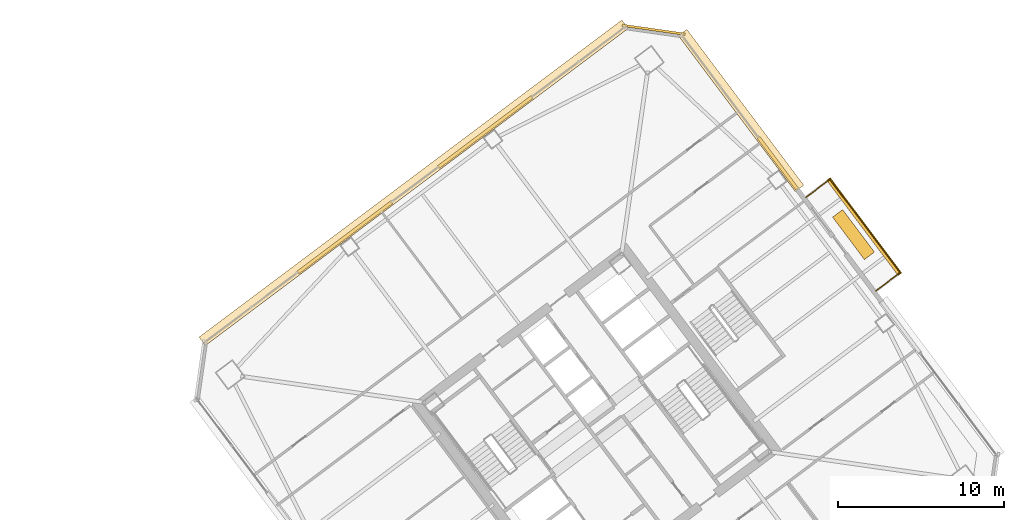
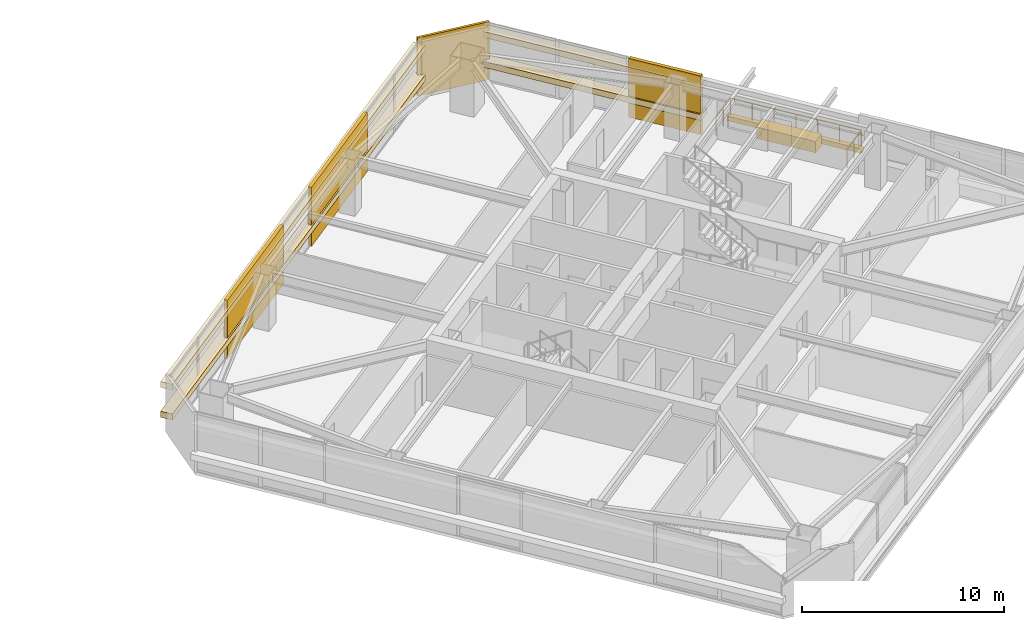
# One storey, part 44 of 44: 10 coverings, 3 railings.
"""IFC4 building model written with IfcOpenShell, lengths in metres."""

from ifc_helpers import new_model, si_unit, direction, frame, origin, origin_2d, place, context, subcontext, project, spatial, rectangle, extrude, material, layer, layer_set, type_object, element, save


model = new_model("IFC4")

# Units and contexts
model_context = context("Model", 3, precision=1e-05, world=origin(), true_north=direction((0.0, 1.0)))
body_context = subcontext(model_context, "Body", "Model", "MODEL_VIEW")
ifc_project = project(units=[si_unit("LENGTHUNIT", "METRE"), si_unit("AREAUNIT", "SQUARE_METRE"), si_unit("VOLUMEUNIT", "CUBIC_METRE"), si_unit("PLANEANGLEUNIT", "RADIAN"), si_unit("MASSUNIT", "GRAM", prefix="KILO")], contexts=[model_context])

# Site, building, storey
site_placement = place(None, origin())
site = spatial("IfcSite", under=ifc_project, at=site_placement, CompositionType="ELEMENT")
building_placement = place(site_placement, origin())
building = spatial("IfcBuilding", under=site, at=building_placement, Name="Tashvorn Skyway Center", CompositionType="ELEMENT")
storey_placement = place(building_placement, frame((0.0, 0.0, 128.60009765625)))
storey = spatial("IfcBuildingStorey", under=building, at=storey_placement, Name="L34", CompositionType="ELEMENT", Elevation=128.60009765625)

# Coverings
ifc_material_1 = material(Name="Precast concrete C40/50", Category="concrete")
ifc_layer_1 = layer(ifc_material_1, 0.199951171875)
ifc_layer_set_1 = layer_set([ifc_layer_1], Name="Precast concrete C40/50")
covering_type_1 = type_object("IfcCoveringType", Name="COV-BRACE-CLAD", PredefinedType="CLADDING", material=ifc_layer_set_1)
for number, where, z_axis, x_axis, name in (
    (1, (98.79736328125, 43.447998046875, 0.0), (0.0, 0.0, 1.0), (0.799999996291, 0.600000004945, 0.0), "Tower 2 L34 North Unitised Curtain Wall Mega-Brace Cladding Band 1"),
    (2, (107.2666015625, 49.800048828125, 0.0), (0.0, 0.0, 1.0), (0.799999996291, 0.600000004945, 0.0), "Tower 2 L34 North Unitised Curtain Wall Mega-Brace Cladding Band 2"),
):
    element("IfcCovering", number, at=place(storey_placement, frame(where, z_axis=z_axis, x_axis=x_axis)), inside=storey, type_object=covering_type_1, Name=name, PredefinedType="CLADDING", context=body_context, shape_type="SweptSolid", body=[
        extrude(rectangle(XDim=7.0576171875, YDim=0.199951171875, at=origin_2d()), origin(), (0.0, 0.0, 1.0), 3.550048828125),
    ])
covering_1_placement = place(storey_placement, frame((124.910888671875, 47.918701171875, 0.0), z_axis=(0.0, 0.0, 1.0), x_axis=(0.600000004945, -0.799999996291, 0.0)))
element("IfcCovering", 3, at=covering_1_placement, inside=storey, type_object=covering_type_1, Name="Tower 2 L34 East Curtain Wall L Mega-Brace Cladding Band 1", PredefinedType="CLADDING", context=body_context, shape_type="SweptSolid", body=[
    extrude(rectangle(XDim=3.876708984375, YDim=0.199951171875, at=origin_2d()), origin(), (0.0, 0.0, 1.0), 3.550048828125),
])
ifc_material_2 = material(Name="Perforated ceramic-coated bronze aluminium solar screen", Category="aluminium")
ifc_layer_2 = layer(ifc_material_2, 0.85009765625)
ifc_layer_set_2 = layer_set([ifc_layer_2], Name="Perforated ceramic-coated bronze aluminium solar screen")
covering_type_2 = type_object("IfcCoveringType", Name="COV-SOLAR-BAND", PredefinedType="CLADDING", material=ifc_layer_set_2)
for number, where, z_axis, x_axis, name in (
    (4, (102.947998046875, 46.736083984375, 0.919921875), (0.0, 0.0, 1.0), (0.799999996291, 0.600000004945, 0.0), "L34 Perforated Ceramic-Metal Solar Screen Louvre Band North 1"),
    (5, (102.947998046875, 46.736083984375, 2.7197265625), (0.0, 0.0, 1.0), (0.799999996291, 0.600000004945, 0.0), "L34 Perforated Ceramic-Metal Solar Screen Louvre Band North 2"),
):
    element("IfcCovering", number, at=place(storey_placement, frame(where, z_axis=z_axis, x_axis=x_axis)), inside=storey, type_object=covering_type_2, Name=name, PredefinedType="CLADDING", context=body_context, shape_type="SweptSolid", body=[
        extrude(rectangle(XDim=31.8798828125, YDim=0.639892578125, at=origin_2d()), origin(), (0.0, 0.0, 1.0), 0.360107421875),
    ])
for number, where, z_axis, x_axis, name in (
    (6, (122.697021484375, 51.10400390625, 0.919921875), (0.0, 0.0, 1.0), (0.600000004945, -0.799999996291, 0.0), "L34 Perforated Ceramic-Metal Solar Screen Louvre Band East 1"),
    (7, (122.697021484375, 51.10400390625, 2.7197265625), (0.0, 0.0, 1.0), (0.600000004945, -0.799999996291, 0.0), "L34 Perforated Ceramic-Metal Solar Screen Louvre Band East 2"),
):
    element("IfcCovering", number, at=place(storey_placement, frame(where, z_axis=z_axis, x_axis=x_axis)), inside=storey, type_object=covering_type_2, Name=name, PredefinedType="CLADDING", context=body_context, shape_type="SweptSolid", body=[
        extrude(rectangle(XDim=11.75, YDim=0.639892578125, at=origin_2d()), origin(), (0.0, 0.0, 1.0), 0.360107421875),
    ])
ifc_layer_3 = layer(ifc_material_1, 0.35009765625)
ifc_layer_set_3 = layer_set([ifc_layer_3], Name="Precast concrete C40/50")
covering_type_3 = type_object("IfcCoveringType", Name="COV-STONE-TRIM", PredefinedType="CLADDING", material=ifc_layer_set_3)
covering_2_placement = place(storey_placement, frame((130.1279296875, 44.095947265625, -0.16015625), z_axis=(0.0, 0.0, 1.0), x_axis=(0.600000004945, -0.799999996291, 0.0)))
element("IfcCovering", 8, at=covering_2_placement, inside=storey, type_object=covering_type_3, Name="Tower 2 L34 Spiral Terrace Terracotta Fascia", PredefinedType="CLADDING", context=body_context, shape_type="SweptSolid", body=[
    extrude(rectangle(XDim=7.199951171875, YDim=0.280029296875, at=origin_2d()), origin(), (0.0, 0.0, 1.0), 0.280029296875),
])
covering_3_placement = place(storey_placement, frame((129.47998046875, 43.610107421875, 0.0), z_axis=(0.0, 0.0, 1.0), x_axis=(0.600000004945, -0.799999996291, 0.0)))
element("IfcCovering", 9, at=covering_3_placement, inside=storey, type_object=covering_type_3, Name="Tower 2 L34 Spiral Terrace Planter", PredefinedType="CLADDING", context=body_context, shape_type="SweptSolid", body=[
    extrude(rectangle(XDim=3.199951171875, YDim=0.75, at=origin_2d()), origin(), (0.0, 0.0, 1.0), 0.679931640625),
])
covering_4_placement = place(storey_placement, frame((117.424072265625, 55.968017578125, 0.02001953125), z_axis=(0.0, 0.0, 1.0), x_axis=(0.989949494535, -0.141421350118, 0.0)))
element("IfcCovering", 10, at=covering_4_placement, inside=storey, type_object=covering_type_3, Name="Tower 2 L34 NE Mojave Limestone Corner Quoin", PredefinedType="CLADDING", context=body_context, shape_type="SweptSolid", body=[
    extrude(rectangle(XDim=3.8369140625, YDim=0.139892578125, at=origin_2d()), origin(), (0.0, 0.0, 1.0), 3.510009765625),
])

# Railings
ifc_material_3 = material(Name="Galvanized steel S355", Category="steel")
railing_type = type_object("IfcRailingType", Name="RAIL-GUARD-1120", PredefinedType="GUARDRAIL", material=ifc_material_3)
railing_1_placement = place(storey_placement, frame((130.83203125, 40.22412109375, 0.0)))
element("IfcRailing", 11, at=railing_1_placement, inside=storey, type_object=railing_type, Name="L34 Tower 2 Terrace Guardrail 01", PredefinedType="GUARDRAIL", context=body_context, shape_type="SweptSolid", body=[
    extrude(rectangle(XDim=0.048095703125, YDim=0.048095703125, at=origin_2d()), frame((0.0, 0.0, 1.09619140625), z_axis=(0.800064386893, 0.599914141212, 0.0), x_axis=(-0.599914141212, 0.800064386893, 0.0)), (0.0, 0.0, 1.0), 1.81982421875),
    extrude(rectangle(XDim=0.0419921875, YDim=0.0419921875, at=origin_2d()), origin(), (0.0, 0.0, 1.0), 1.072021484375),
    extrude(rectangle(XDim=0.0419921875, YDim=0.0419921875, at=origin_2d()), frame((0.72802734375, 0.5458984375, 0.0)), (0.0, 0.0, 1.0), 1.072021484375),
    extrude(rectangle(XDim=0.0419921875, YDim=0.0419921875, at=origin_2d()), frame((1.4560546875, 1.091796875, 0.0)), (0.0, 0.0, 1.0), 1.072021484375),
])
railing_2_placement = place(storey_placement, frame((132.2880859375, 41.31591796875, 0.0)))
element("IfcRailing", 12, at=railing_2_placement, inside=storey, type_object=railing_type, Name="L34 Tower 2 Terrace Guardrail 02", PredefinedType="GUARDRAIL", context=body_context, shape_type="SweptSolid", body=[
    extrude(rectangle(XDim=0.048095703125, YDim=0.048095703125, at=origin_2d()), frame((0.0, 0.0, 1.09619140625), z_axis=(-0.600005548528, 0.799995838574, 0.0), x_axis=(-0.799995838574, -0.600005548528, 0.0)), (0.0, 0.0, 1.0), 7.0400390625),
    extrude(rectangle(XDim=0.0419921875, YDim=0.0419921875, at=origin_2d()), origin(), (0.0, 0.0, 1.0), 1.072021484375),
    extrude(rectangle(XDim=0.0419921875, YDim=0.0419921875, at=origin_2d()), frame((-0.7041015625, 0.938720703125, 0.0)), (0.0, 0.0, 1.0), 1.072021484375),
    extrude(rectangle(XDim=0.0419921875, YDim=0.0419921875, at=origin_2d()), frame((-1.407958984375, 1.87744140625, 0.0)), (0.0, 0.0, 1.0), 1.072021484375),
    extrude(rectangle(XDim=0.0419921875, YDim=0.0419921875, at=origin_2d()), frame((-2.112060546875, 2.81591796875, 0.0)), (0.0, 0.0, 1.0), 1.072021484375),
    extrude(rectangle(XDim=0.0419921875, YDim=0.0419921875, at=origin_2d()), frame((-2.816162109375, 3.754638671875, 0.0)), (0.0, 0.0, 1.0), 1.072021484375),
    extrude(rectangle(XDim=0.0419921875, YDim=0.0419921875, at=origin_2d()), frame((-3.52001953125, 4.693359375, 0.0)), (0.0, 0.0, 1.0), 1.072021484375),
    extrude(rectangle(XDim=0.0419921875, YDim=0.0419921875, at=origin_2d()), frame((-4.22412109375, 5.632080078125, 0.0)), (0.0, 0.0, 1.0), 1.072021484375),
])
railing_3_placement = place(storey_placement, frame((128.06396484375, 46.947998046875, 0.0)))
element("IfcRailing", 13, at=railing_3_placement, inside=storey, type_object=railing_type, Name="L34 Tower 2 Terrace Guardrail 03", PredefinedType="GUARDRAIL", context=body_context, shape_type="SweptSolid", body=[
    extrude(rectangle(XDim=0.048095703125, YDim=0.048095703125, at=origin_2d()), frame((0.0, 0.0, 1.09619140625), z_axis=(-0.8, -0.6, 0.0), x_axis=(0.6, -0.8, 0.0)), (0.0, 0.0, 1.0), 1.820068359375),
    extrude(rectangle(XDim=0.0419921875, YDim=0.0419921875, at=origin_2d()), origin(), (0.0, 0.0, 1.0), 1.072021484375),
    extrude(rectangle(XDim=0.0419921875, YDim=0.0419921875, at=origin_2d()), frame((-0.72802734375, -0.5458984375, 0.0)), (0.0, 0.0, 1.0), 1.072021484375),
    extrude(rectangle(XDim=0.0419921875, YDim=0.0419921875, at=origin_2d()), frame((-1.4560546875, -1.092041015625, 0.0)), (0.0, 0.0, 1.0), 1.072021484375),
])

save(model, "model.ifc")
